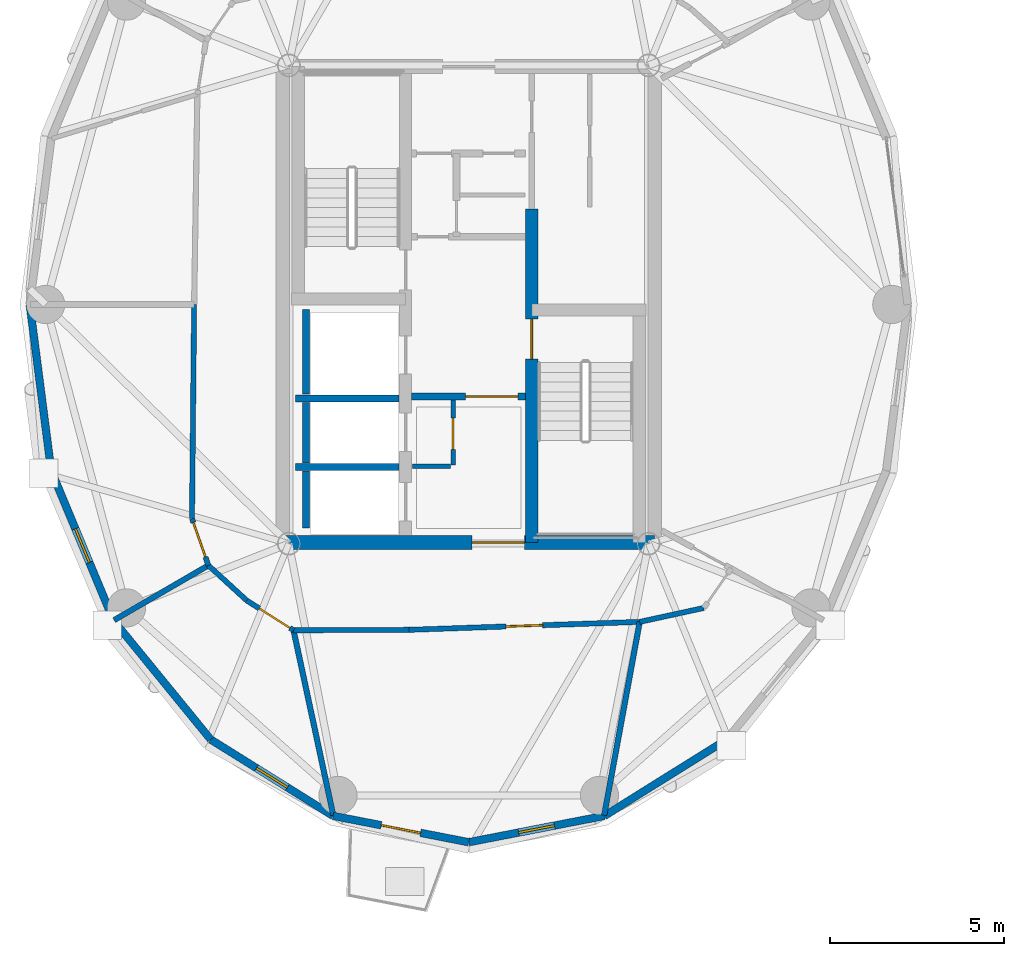
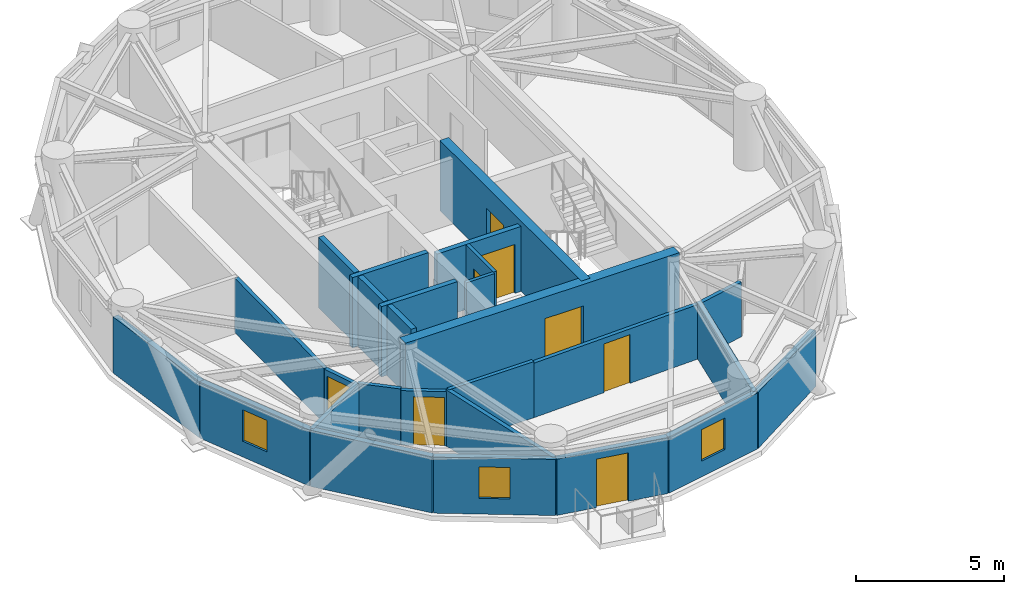
# One storey, part 7 of 16: 27 walls, 8 doors, 3 windows, 11 openings.
"""IFC4 building model written with IfcOpenShell, lengths in metres."""

import ifcopenshell
import ifcopenshell.guid

model = None  # the IFC model being written
_history = None  # IfcOwnerHistory: only IFC2X3 demands one
_inside = {}  # id of a spatial element -> (the spatial element, [elements in it])
_under = {}  # id of a project, library or spatial element -> (it, [spatial elements below it])
_declared = {}  # id of a project -> (the project, [libraries it declares])
_typed = {}  # id of a type object -> (the type object, [elements of that type])
_made_of = {}  # id of a material, layer set ... -> (it, [elements and type objects made of it])


def new_model(schema):
    """Start an empty IFC model of exactly this schema.

    Asked for "IFC4X3", IfcOpenShell would pick the latest addendum, in which some entities
    have other attributes; the version numbers below select the first issue.
    IFC2X3 requires an IfcOwnerHistory on every rooted entity: one is made here for all.
    """
    global model, _history
    if schema == "IFC4X3":
        model = ifcopenshell.file(schema_version=(4, 3, 0, 0))
    else:
        model = ifcopenshell.file(schema=schema)
    _inside.clear()
    _under.clear()
    _declared.clear()
    _typed.clear()
    _made_of.clear()
    _history = None
    if model.schema == "IFC2X3":
        org = make("IfcOrganization", Name="unknown")
        user = make(
            "IfcPersonAndOrganization",
            ThePerson=make("IfcPerson", FamilyName="unknown"),
            TheOrganization=org,
        )
        app = make(
            "IfcApplication",
            ApplicationDeveloper=org,
            Version="unknown",
            ApplicationFullName="unknown",
            ApplicationIdentifier="unknown",
        )
        _history = make(
            "IfcOwnerHistory",
            OwningUser=user,
            OwningApplication=app,
            ChangeAction="ADDED",
            CreationDate=0,
        )
    return model


def make(cls, **values):
    """One entity of the class cls with the attributes given. An attribute that is None is left unset."""
    return model.create_entity(
        cls, **{name: value for name, value in values.items() if value is not None}
    )


def rooted(cls, **values):
    """An entity with a GlobalId (a new one), such as an element, a storey or a relation."""
    return make(cls, GlobalId=ifcopenshell.guid.new(), OwnerHistory=_history, **values)


def si_unit(unit_type, name, prefix=None):
    """IfcSIUnit, for example si_unit("LENGTHUNIT", "METRE", prefix="MILLI")."""
    return make("IfcSIUnit", UnitType=unit_type, Prefix=prefix, Name=name)


def assignment(units):
    """IfcUnitAssignment: the units of a project."""
    return None if units is None else make("IfcUnitAssignment", Units=units)


def point(xyz):
    """IfcCartesianPoint."""
    return None if xyz is None else make("IfcCartesianPoint", Coordinates=xyz)


def direction(xyz):
    """IfcDirection."""
    return None if xyz is None else make("IfcDirection", DirectionRatios=xyz)


def frame(location, z_axis=None, x_axis=None):
    """IfcAxis2Placement3D, a coordinate frame: its origin and axes. An axis left out is left unset."""
    return make(
        "IfcAxis2Placement3D",
        Location=point(location),
        Axis=direction(z_axis),
        RefDirection=direction(x_axis),
    )


def frame_2d(location, x_axis=None):
    """IfcAxis2Placement2D, a coordinate frame in the plane: its origin and x axis."""
    return make(
        "IfcAxis2Placement2D", Location=point(location), RefDirection=direction(x_axis)
    )


def origin():
    """The frame at (0, 0, 0) with its axes left unset."""
    return frame((0.0, 0.0, 0.0))


def place(relative_to, where):
    """IfcLocalPlacement: puts the frame where relative to a parent placement (None: the world)."""
    return make(
        "IfcLocalPlacement", PlacementRelTo=relative_to, RelativePlacement=where
    )


def context(
    kind, dimensions, precision=None, world=None, true_north=None, identifier=None
):
    """IfcGeometricRepresentationContext, for example the 3D "Model" context."""
    return make(
        "IfcGeometricRepresentationContext",
        ContextIdentifier=identifier,
        ContextType=kind,
        CoordinateSpaceDimension=dimensions,
        Precision=precision,
        WorldCoordinateSystem=world,
        TrueNorth=true_north,
    )


def subcontext(parent, identifier, kind, view, scale=None):
    """IfcGeometricRepresentationSubContext, for example "Body" below "Model"."""
    return make(
        "IfcGeometricRepresentationSubContext",
        ContextIdentifier=identifier,
        ContextType=kind,
        ParentContext=parent,
        TargetScale=scale,
        TargetView=view,
    )


def project(units=None, contexts=None):
    """IfcProject with its units and contexts."""
    return rooted(
        "IfcProject",
        Name="project",
        RepresentationContexts=contexts,
        UnitsInContext=assignment(units),
    )


def spatial(cls, under=None, at=None, **own):
    """A site, building, storey or space (cls), placed at a placement, below another one or the project."""
    s = rooted(cls, ObjectPlacement=at, **own)
    if under is not None:
        _under.setdefault(under.id(), (under, []))[1].append(s)
    return s


def profile(cls, at=None, kind="AREA", **sizes):
    """A parametric profile (cls). Its sizes go by their IFC names, for example OverallWidth=200.0."""
    return make(cls, ProfileType=kind, Position=at, **sizes)


def rectangle(**sizes):
    """IfcRectangleProfileDef."""
    return profile("IfcRectangleProfileDef", **sizes)


def extrude(swept, where, along, depth):
    """IfcExtrudedAreaSolid: the profile swept, set in the frame where, extruded along a direction by depth."""
    return make(
        "IfcExtrudedAreaSolid",
        SweptArea=swept,
        Position=where,
        ExtrudedDirection=direction(along),
        Depth=depth,
    )


def shape(context_of_items, identifier, shape_type, items):
    """IfcShapeRepresentation: the items that make up one representation, for example the "Body"."""
    return make(
        "IfcShapeRepresentation",
        ContextOfItems=context_of_items,
        RepresentationIdentifier=identifier,
        RepresentationType=shape_type,
        Items=items,
    )


def source(mapping_origin, context_of_items, identifier, shape_type, items):
    """IfcRepresentationMap: a shape defined once, which mapped items show again and again."""
    return make(
        "IfcRepresentationMap",
        MappingOrigin=mapping_origin,
        MappedRepresentation=shape(context_of_items, identifier, shape_type, items),
    )


def transform(
    local_origin,
    x_axis=None,
    y_axis=None,
    z_axis=None,
    scale=None,
    scale2=None,
    scale3=None,
    uniform=True,
):
    """IfcCartesianTransformationOperator3D, or its non-uniform kind. x_axis, y_axis, z_axis: its Axis1, 2, 3."""
    if uniform:
        return make(
            "IfcCartesianTransformationOperator3D",
            Axis1=direction(x_axis),
            Axis2=direction(y_axis),
            LocalOrigin=point(local_origin),
            Scale=scale,
            Axis3=direction(z_axis),
        )
    return make(
        "IfcCartesianTransformationOperator3DnonUniform",
        Axis1=direction(x_axis),
        Axis2=direction(y_axis),
        LocalOrigin=point(local_origin),
        Scale=scale,
        Axis3=direction(z_axis),
        Scale2=scale2,
        Scale3=scale3,
    )


def mapped(mapping_source, mapping_target):
    """IfcMappedItem: shows the shape of a source again, moved by a transform."""
    return make(
        "IfcMappedItem", MappingSource=mapping_source, MappingTarget=mapping_target
    )


def material(Name=None, Category=None):
    """IfcMaterial."""
    return make("IfcMaterial", Name=Name, Category=Category)


def layer(
    of_material, thickness, ventilated=None, Name=None, Category=None, Priority=None
):
    """IfcMaterialLayer: one layer of a wall or slab, of a material (None: an air gap)."""
    return make(
        "IfcMaterialLayer",
        Material=of_material,
        LayerThickness=thickness,
        IsVentilated=ventilated,
        Name=Name,
        Category=Category,
        Priority=Priority,
    )


def layer_set(layers, Name=None):
    """IfcMaterialLayerSet."""
    return make("IfcMaterialLayerSet", MaterialLayers=layers, LayerSetName=Name)


def made_of(thing, what):
    """Note that an element or type object is made of a material, layer set ...; save() writes the relation."""
    if what is not None:
        _made_of.setdefault(what.id(), (what, []))[1].append(thing)
    return thing


def type_object(cls, material=None, **own):
    """A type object (cls), such as IfcWallType, which elements share."""
    return made_of(rooted(cls, **own), material)


def element(
    cls,
    number,
    at=None,
    inside=None,
    cuts=None,
    type_object=None,
    material=None,
    context=None,
    identifier="Body",
    shape_type=None,
    held_by="IfcProductDefinitionShape",
    body=None,
    shapes=None,
    **own,
):
    """One element of the class cls, such as IfcWall. Its Tag is "e" and its number.

    at: its placement. inside: the storey or other place that contains it. cuts: it is an
    opening in that element (IfcRelVoidsElement). A single representation is given by context,
    identifier, shape_type and body (its items); several are given by shapes. held_by: the class
    of the entity that holds the representations. save() writes the other relations.
    """
    e = rooted(cls, Tag="e%d" % number, ObjectPlacement=at, **own)
    if body is not None:
        shapes = [shape(context, identifier, shape_type, body)]
    if shapes is not None:
        e.Representation = make(held_by, Representations=shapes)
    if inside is not None:
        _inside.setdefault(inside.id(), (inside, []))[1].append(e)
    if cuts is not None:
        rooted(
            "IfcRelVoidsElement", RelatingBuildingElement=cuts, RelatedOpeningElement=e
        )
    if type_object is not None:
        _typed.setdefault(type_object.id(), (type_object, []))[1].append(e)
    return made_of(e, material)


def fill(opening, filler):
    """IfcRelFillsElement: the door or window that sits in an opening."""
    return rooted(
        "IfcRelFillsElement",
        RelatingOpeningElement=opening,
        RelatedBuildingElement=filler,
    )


def aggregate(whole, parts):
    """IfcRelAggregates: a whole, such as a stair, and the parts it consists of."""
    return rooted("IfcRelAggregates", RelatingObject=whole, RelatedObjects=parts)


def save(model, path):
    """Write the relations noted so far, then the file.

    IfcRelAggregates (storeys below a building ...), IfcRelContainedInSpatialStructure (elements
    in a storey), IfcRelDefinesByType, IfcRelAssociatesMaterial and IfcRelDeclares: one each for
    every whole, place, type object, material and project.
    """
    for whole, parts in _under.values():
        aggregate(whole, parts)
    for where, things in _inside.values():
        rooted(
            "IfcRelContainedInSpatialStructure",
            RelatedElements=things,
            RelatingStructure=where,
        )
    for kind, things in _typed.values():
        rooted("IfcRelDefinesByType", RelatedObjects=things, RelatingType=kind)
    for what, things in _made_of.values():
        rooted("IfcRelAssociatesMaterial", RelatedObjects=things, RelatingMaterial=what)
    for by, libraries in _declared.values():
        rooted("IfcRelDeclares", RelatingContext=by, RelatedDefinitions=libraries)
    model.write(path)


model = new_model("IFC4")

# Units and contexts
model_context = context("Model", 3, precision=1e-05, world=origin(), true_north=direction((0.0, 1.0)))
body_context = subcontext(model_context, "Body", "Model", "MODEL_VIEW")
ifc_project = project(units=[si_unit("LENGTHUNIT", "METRE"), si_unit("AREAUNIT", "SQUARE_METRE"), si_unit("VOLUMEUNIT", "CUBIC_METRE"), si_unit("PLANEANGLEUNIT", "RADIAN"), si_unit("MASSUNIT", "GRAM", prefix="KILO")], contexts=[model_context])

# Site, building, storey
site_placement = place(None, origin())
site = spatial("IfcSite", under=ifc_project, at=site_placement, CompositionType="ELEMENT")
building_placement = place(site_placement, origin())
building = spatial("IfcBuilding", under=site, at=building_placement, Name="Cununo Teusaquillo Station Towers", CompositionType="ELEMENT")
storey_placement = place(building_placement, frame((0.0, 0.0, 208.300048828125)))
storey = spatial("IfcBuildingStorey", under=building, at=storey_placement, Name="L66", CompositionType="ELEMENT", Elevation=208.300048828125)

# Walls
ifc_material_1 = material(Name="Concrete C50/60", Category="concrete")
ifc_layer_1 = layer(ifc_material_1, 0.199951171875)
ifc_layer_set_1 = layer_set([ifc_layer_1], Name="Concrete C50/60")
wall_type_1 = type_object("IfcWallType", Name="WL-CORE-200", PredefinedType="SHEAR", material=ifc_layer_set_1)
wall_1_placement = place(storey_placement, frame((11.52001953125, 21.800048828125, 0.0), z_axis=(0.0, 0.0, 1.0), x_axis=(1.0, 0.0, 0.0)))
element("IfcWall", 1, at=wall_1_placement, inside=storey, type_object=wall_type_1, Name="L66 Tower A Firefighting Lift Shaft South Shear Wall", PredefinedType="SHEAR", context=body_context, shape_type="SweptSolid", body=[
    extrude(rectangle(XDim=2.969970703125, YDim=0.199951171875, at=frame_2d((1.48486328125, 0.0))), origin(), (0.0, 0.0, 1.0), 2.909912109375),
])
wall_2_placement = place(storey_placement, frame((11.820068359375, 21.919921875, 0.0), z_axis=(0.0, 0.0, 1.0), x_axis=(0.0, 1.0, 0.0)))
element("IfcWall", 2, at=wall_2_placement, inside=storey, type_object=wall_type_1, Name="L66 Tower A Firefighting Lift Shaft Rear Shear Wall", PredefinedType="SHEAR", context=body_context, shape_type="SweptSolid", body=[
    extrude(rectangle(XDim=2.440185546875, YDim=0.199951171875, at=frame_2d((1.22021484375, 0.0))), origin(), (0.0, 0.0, 1.0), 2.909912109375),
])
wall_3_placement = place(storey_placement, frame((11.52001953125, 19.824951171875, 0.0), z_axis=(0.0, 0.0, 1.0), x_axis=(1.0, 0.0, 0.0)))
element("IfcWall", 3, at=wall_3_placement, inside=storey, type_object=wall_type_1, Name="L66 Tower A High-Rise Lift Hoistway Divider Shear Wall", PredefinedType="SHEAR", context=body_context, shape_type="SweptSolid", body=[
    extrude(rectangle(XDim=2.969970703125, YDim=0.199951171875, at=frame_2d((1.48486328125, 0.0))), origin(), (0.0, 0.0, 1.0), 2.909912109375),
])
wall_4_placement = place(storey_placement, frame((11.820068359375, 19.945068359375, 0.0), z_axis=(0.0, 0.0, 1.0), x_axis=(0.0, 1.0, 0.0)))
element("IfcWall", 4, at=wall_4_placement, inside=storey, type_object=wall_type_1, Name="L66 Tower A High-Rise Lift 2 Shaft Rear Shear Wall", PredefinedType="SHEAR", context=body_context, shape_type="SweptSolid", body=[
    extrude(rectangle(XDim=1.73486328125, YDim=0.199951171875, at=frame_2d((0.867431640625, 0.0))), origin(), (0.0, 0.0, 1.0), 2.909912109375),
])
wall_5_placement = place(storey_placement, frame((11.820068359375, 18.070068359375, 0.0), z_axis=(0.0, 0.0, 1.0), x_axis=(0.0, 1.0, 0.0)))
element("IfcWall", 5, at=wall_5_placement, inside=storey, type_object=wall_type_1, Name="L66 Tower A High-Rise Lift 1 Shaft Rear Shear Wall", PredefinedType="SHEAR", context=body_context, shape_type="SweptSolid", body=[
    extrude(rectangle(XDim=1.635009765625, YDim=0.199951171875, at=frame_2d((0.8173828125, 0.0))), origin(), (0.0, 0.0, 1.0), 2.909912109375),
])

# Wall, opening, door
ifc_material_2 = material(Name="Concrete C50/60", Category="concrete")
ifc_layer_2 = layer(ifc_material_2, 0.35009765625)
ifc_layer_set_2 = layer_set([ifc_layer_2], Name="Concrete C50/60")
wall_type_2 = type_object("IfcWallType", Name="WL-CORE-350", PredefinedType="SHEAR", material=ifc_layer_set_2)
wall_6_placement = place(storey_placement, frame((18.31494140625, 17.64990234375, 0.0), z_axis=(0.0, 0.0, 1.0), x_axis=(0.0, 1.0, 0.0)))
wall_6 = element("IfcWall", 6, at=wall_6_placement, inside=storey, type_object=wall_type_2, Name="L66 Tower A Core Shear Wall IE", PredefinedType="SHEAR", context=body_context, shape_type="SweptSolid", body=[
    extrude(rectangle(XDim=9.60009765625, YDim=0.35009765625, at=frame_2d((4.800048828125, 0.0))), origin(), (0.0, 0.0, 1.0), 2.909912109375),
])
shared_shape_1 = source(origin(), body_context, "Body", "SweptSolid", [
    extrude(rectangle(XDim=1.14990234375, YDim=2.02001953125, at=frame_2d((0.574951171875, 1.010009765625))), frame((0.0, 0.18505859375, 0.0), z_axis=(0.0, -1.0, 0.0), x_axis=(1.0, 0.0, 0.0)), (0.0, 0.0, 1.0), 0.3701171875),
])
opening_1_placement = place(wall_6_placement, frame((5.280029296875, 0.0, 0.0)))
opening_1 = element("IfcOpeningElement", 7, at=opening_1_placement, cuts=wall_6, Name="Opening D-ST1", PredefinedType="OPENING", context=body_context, shape_type="MappedRepresentation", body=[
    mapped(shared_shape_1, transform((0.0, 0.0, 0.0), x_axis=(1.0, 0.0, 0.0), y_axis=(0.0, 1.0, 0.0), z_axis=(0.0, 0.0, 1.0), scale=1.0)),
])
ifc_material_3 = material(Name="Galvanised fire-rated hollow steel door assembly", Category="steel")
door_type_1 = type_object("IfcDoorType", Name="DR-STAIR-1150", OperationType="NOTDEFINED", PredefinedType="DOOR", material=ifc_material_3)
shared_shape_2 = source(origin(), body_context, "Body", "SweptSolid", [
    extrude(rectangle(XDim=1.14990234375, YDim=2.02001953125, at=frame_2d((0.574951171875, 1.010009765625))), frame((0.0, 0.02490234375, 0.0), z_axis=(0.0, -1.0, 0.0), x_axis=(1.0, 0.0, 0.0)), (0.0, 0.0, 1.0), 0.050048828125),
])
door_1_placement = place(opening_1_placement, origin())
door_1 = element("IfcDoor", 8, at=door_1_placement, inside=storey, type_object=door_type_1, Name="L66 Tower A Exit Stair 2 Fire Door", OperationType="SINGLE_SWING_LEFT", OverallHeight=2.02001953125, OverallWidth=1.14990234375, PredefinedType="DOOR", context=body_context, shape_type="MappedRepresentation", body=[
    mapped(shared_shape_2, transform((0.0, 0.0, 0.0), x_axis=(1.0, 0.0, 0.0), y_axis=(0.0, 1.0, 0.0), z_axis=(0.0, 0.0, 1.0), scale=1.0)),
])
fill(opening_1, door_1)

ifc_material_4 = material(Name="Concrete C50/60", Category="concrete")
ifc_layer_3 = layer(ifc_material_4, 0.39990234375)
ifc_layer_set_3 = layer_set([ifc_layer_3], Name="Concrete C50/60")
wall_type_3 = type_object("IfcWallType", Name="WL-CORE-400", PredefinedType="SHEAR", material=ifc_layer_set_3)
wall_7_placement = place(storey_placement, frame((11.14990234375, 17.64990234375, 0.0), z_axis=(0.0, 0.0, 1.0), x_axis=(1.0, 0.0, 0.0)))
wall_7 = element("IfcWall", 9, at=wall_7_placement, inside=storey, type_object=wall_type_3, Name="L66 Tower A Core Shear Wall S", PredefinedType="SHEAR", context=body_context, shape_type="SweptSolid", body=[
    extrude(rectangle(XDim=10.7001953125, YDim=0.39990234375, at=frame_2d((5.35009765625, 0.0))), origin(), (0.0, 0.0, 1.0), 2.909912109375),
])
shared_shape_3 = source(origin(), body_context, "Body", "SweptSolid", [
    extrude(rectangle(XDim=1.5, YDim=2.02001953125, at=frame_2d((0.75, 1.010009765625))), frame((0.0, 0.2099609375, 0.0), z_axis=(0.0, -1.0, 0.0), x_axis=(1.0, 0.0, 0.0)), (0.0, 0.0, 1.0), 0.419921875),
])
opening_2_placement = place(wall_7_placement, frame((5.449951171875, 0.0, 0.0)))
opening_2 = element("IfcOpeningElement", 10, at=opening_2_placement, cuts=wall_7, Name="Opening D-LB1", PredefinedType="OPENING", context=body_context, shape_type="MappedRepresentation", body=[
    mapped(shared_shape_3, transform((0.0, 0.0, 0.0), x_axis=(1.0, 0.0, 0.0), y_axis=(0.0, 1.0, 0.0), z_axis=(0.0, 0.0, 1.0), scale=1.0)),
])
ifc_material_5 = material(Name="Galvanised fire-rated hollow steel door assembly", Category="steel")
door_type_2 = type_object("IfcDoorType", Name="DR-LOBBY-1500", OperationType="DOUBLE_DOOR_SINGLE_SWING", PredefinedType="DOOR", material=ifc_material_5)
shared_shape_4 = source(origin(), body_context, "Body", "SweptSolid", [
    extrude(rectangle(XDim=1.5, YDim=2.02001953125, at=frame_2d((0.75, 1.010009765625))), frame((0.0, 0.02490234375, 0.0), z_axis=(0.0, -1.0, 0.0), x_axis=(1.0, 0.0, 0.0)), (0.0, 0.0, 1.0), 0.050048828125),
])
door_2_placement = place(opening_2_placement, origin())
door_2 = element("IfcDoor", 11, at=door_2_placement, inside=storey, type_object=door_type_2, Name="L66 Tower A South Core Lift Lobby Door", OperationType="DOUBLE_DOOR_SINGLE_SWING", OverallHeight=2.02001953125, OverallWidth=1.5, PredefinedType="DOOR", context=body_context, shape_type="MappedRepresentation", body=[
    mapped(shared_shape_4, transform((0.0, 0.0, 0.0), x_axis=(1.0, 0.0, 0.0), y_axis=(0.0, 1.0, 0.0), z_axis=(0.0, 0.0, 1.0), scale=1.0)),
])
fill(opening_2, door_2)

# Wall
ifc_material_6 = material(Name="Precast concrete C40/50", Category="concrete")
ifc_layer_4 = layer(ifc_material_6, 0.219970703125)
ifc_layer_set_4 = layer_set([ifc_layer_4], Name="Precast concrete C40/50")
wall_type_4 = type_object("IfcWallType", Name="WL-EXT-220", PredefinedType="SOLIDWALL", material=ifc_layer_set_4)
wall_8_placement = place(storey_placement, frame((4.48828125, 19.719482421875, 0.0), z_axis=(0.0, 0.0, 1.0), x_axis=(-0.128241318541, 0.991742993027, 0.0)))
element("IfcWall", 12, at=wall_8_placement, inside=storey, type_object=wall_type_4, Name="L66 Tower A Exterior Facade Wall C10", PredefinedType="SOLIDWALL", context=body_context, shape_type="SweptSolid", body=[
    extrude(rectangle(XDim=4.8203125, YDim=0.219970703125, at=frame_2d((2.41015625, 0.0))), origin(), (0.0, 0.0, 1.0), 2.322021484375),
])

# Wall, opening, window
wall_9_placement = place(storey_placement, frame((6.281982421875, 15.406982421875, 0.0), z_axis=(0.0, 0.0, 1.0), x_axis=(-0.384036305194, 0.923317993052, 0.0)))
wall_9 = element("IfcWall", 13, at=wall_9_placement, inside=storey, type_object=wall_type_4, Name="L66 Tower A Exterior Facade Wall C11", PredefinedType="SOLIDWALL", context=body_context, shape_type="SweptSolid", body=[
    extrude(rectangle(XDim=4.670654296875, YDim=0.219970703125, at=frame_2d((2.33544921875, 0.0))), origin(), (0.0, 0.0, 1.0), 2.322021484375),
])
shared_shape_5 = source(origin(), body_context, "Body", "SweptSolid", [
    extrude(rectangle(XDim=1.050048828125, YDim=1.300048828125, at=frame_2d((0.52490234375, 0.64990234375))), frame((0.0, 0.119873046875, 0.0), z_axis=(0.0, -1.0, 0.0), x_axis=(1.0, 0.0, 0.0)), (0.0, 0.0, 1.0), 0.239990234375),
])
opening_3_placement = place(wall_9_placement, frame((1.81005859375, 0.0, 0.64990234375)))
opening_3 = element("IfcOpeningElement", 14, at=opening_3_placement, cuts=wall_9, Name="Opening WN-04", PredefinedType="OPENING", context=body_context, shape_type="MappedRepresentation", body=[
    mapped(shared_shape_5, transform((0.0, 0.0, 0.0), x_axis=(1.0, 0.0, 0.0), y_axis=(0.0, 1.0, 0.0), z_axis=(0.0, 0.0, 1.0), scale=1.0)),
])
ifc_material_7 = material(Name="Operable acoustic tinted low-E double glazing", Category="glass")
window_type = type_object("IfcWindowType", Name="WIN-BAL-1050", PartitioningType="SINGLE_PANEL", PredefinedType="WINDOW", material=ifc_material_7)
shared_shape_6 = source(origin(), body_context, "Body", "SweptSolid", [
    extrude(rectangle(XDim=1.050048828125, YDim=1.300048828125, at=frame_2d((0.52490234375, 0.64990234375))), frame((0.0, 0.030029296875, 0.0), z_axis=(0.0, -1.0, 0.0), x_axis=(1.0, 0.0, 0.0)), (0.0, 0.0, 1.0), 0.06005859375),
])
window_1_placement = place(opening_3_placement, origin())
window_1 = element("IfcWindow", 15, at=window_1_placement, inside=storey, type_object=window_type, Name="L66 Tower A Facade Window C11", OverallHeight=1.300048828125, OverallWidth=1.050048828125, PartitioningType="SINGLE_PANEL", PredefinedType="WINDOW", context=body_context, shape_type="MappedRepresentation", body=[
    mapped(shared_shape_6, transform((0.0, 0.0, 0.0), x_axis=(1.0, 0.0, 0.0), y_axis=(0.0, 1.0, 0.0), z_axis=(0.0, 0.0, 1.0), scale=1.0)),
])
fill(opening_3, window_1)

# Wall
wall_10_placement = place(storey_placement, frame((9.076416015625, 11.984619140625, 0.0), z_axis=(0.0, 0.0, 1.0), x_axis=(-0.632467166636, 0.774587169483, 0.0)))
element("IfcWall", 16, at=wall_10_placement, inside=storey, type_object=wall_type_4, Name="L66 Tower A Exterior Facade Wall C12", PredefinedType="SOLIDWALL", context=body_context, shape_type="SweptSolid", body=[
    extrude(rectangle(XDim=4.418212890625, YDim=0.219970703125, at=frame_2d((2.208984375, 0.0))), origin(), (0.0, 0.0, 1.0), 2.322021484375),
])

# Wall, opening, window
wall_11_placement = place(storey_placement, frame((12.59716796875, 9.787109375, 0.0), z_axis=(0.0, 0.0, 1.0), x_axis=(-0.848318713376, 0.529485939886, 0.0)))
wall_11 = element("IfcWall", 17, at=wall_11_placement, inside=storey, type_object=wall_type_4, Name="L66 Tower A Exterior Facade Wall C13", PredefinedType="SOLIDWALL", context=body_context, shape_type="SweptSolid", body=[
    extrude(rectangle(XDim=4.150390625, YDim=0.219970703125, at=frame_2d((2.0751953125, 0.0))), origin(), (0.0, 0.0, 1.0), 2.322021484375),
])
opening_4_placement = place(wall_11_placement, frame((1.550048828125, 0.0, 0.64990234375)))
opening_4 = element("IfcOpeningElement", 18, at=opening_4_placement, cuts=wall_11, Name="Opening WN-04", PredefinedType="OPENING", context=body_context, shape_type="MappedRepresentation", body=[
    mapped(shared_shape_5, transform((0.0, 0.0, 0.0), x_axis=(1.0, 0.0, 0.0), y_axis=(0.0, 1.0, 0.0), z_axis=(0.0, 0.0, 1.0), scale=1.0)),
])
window_2_placement = place(opening_4_placement, origin())
window_2 = element("IfcWindow", 19, at=window_2_placement, inside=storey, type_object=window_type, Name="L66 Tower A Facade Window C13", OverallHeight=1.300048828125, OverallWidth=1.050048828125, PartitioningType="SINGLE_PANEL", PredefinedType="WINDOW", context=body_context, shape_type="MappedRepresentation", body=[
    mapped(shared_shape_6, transform((0.0, 0.0, 0.0), x_axis=(1.0, 0.0, 0.0), y_axis=(0.0, 1.0, 0.0), z_axis=(0.0, 0.0, 1.0), scale=1.0)),
])
fill(opening_4, window_2)

# Wall, opening, door
wall_12_placement = place(storey_placement, frame((16.5, 9.030029296875, 0.0), z_axis=(0.0, 0.0, 1.0), x_axis=(-0.981700307484, 0.190432419211, 0.0)))
wall_12 = element("IfcWall", 20, at=wall_12_placement, inside=storey, type_object=wall_type_4, Name="L66 Tower A Exterior Facade Wall C14", PredefinedType="SOLIDWALL", context=body_context, shape_type="SweptSolid", body=[
    extrude(rectangle(XDim=3.9755859375, YDim=0.219970703125, at=frame_2d((1.98779296875, 0.0))), origin(), (0.0, 0.0, 1.0), 2.322021484375),
])
shared_shape_7 = source(origin(), body_context, "Body", "SweptSolid", [
    extrude(rectangle(XDim=1.14990234375, YDim=2.0048828125, at=frame_2d((0.574951171875, 1.00244140625))), frame((0.0, 0.119873046875, 0.0), z_axis=(0.0, -1.0, 0.0), x_axis=(1.0, 0.0, 0.0)), (0.0, 0.0, 1.0), 0.239990234375),
])
opening_5_placement = place(wall_12_placement, frame((1.4130859375, 0.0, 0.0)))
opening_5 = element("IfcOpeningElement", 21, at=opening_5_placement, cuts=wall_12, Name="Opening ED-03", PredefinedType="OPENING", context=body_context, shape_type="MappedRepresentation", body=[
    mapped(shared_shape_7, transform((0.0, 0.0, 0.0), x_axis=(1.0, 0.0, 0.0), y_axis=(0.0, 1.0, 0.0), z_axis=(0.0, 0.0, 1.0), scale=1.0)),
])
ifc_material_8 = material(Name="Anodised dark bronze aluminium EN AW-6063-T6", Category="aluminium")
door_type_3 = type_object("IfcDoorType", Name="DR-EXT-BAL", OperationType="NOTDEFINED", PredefinedType="DOOR", material=ifc_material_8)
shared_shape_8 = source(origin(), body_context, "Body", "SweptSolid", [
    extrude(rectangle(XDim=1.14990234375, YDim=2.0048828125, at=frame_2d((0.574951171875, 1.00244140625))), frame((0.0, 0.02490234375, 0.0), z_axis=(0.0, -1.0, 0.0), x_axis=(1.0, 0.0, 0.0)), (0.0, 0.0, 1.0), 0.050048828125),
])
door_3_placement = place(opening_5_placement, origin())
door_3 = element("IfcDoor", 22, at=door_3_placement, inside=storey, type_object=door_type_3, Name="L66 Tower A Tree Balcony Door C14", OperationType="SINGLE_SWING_LEFT", OverallHeight=2.0048828125, OverallWidth=1.14990234375, PredefinedType="DOOR", context=body_context, shape_type="MappedRepresentation", body=[
    mapped(shared_shape_8, transform((0.0, 0.0, 0.0), x_axis=(1.0, 0.0, 0.0), y_axis=(0.0, 1.0, 0.0), z_axis=(0.0, 0.0, 1.0), scale=1.0)),
])
fill(opening_5, door_3)

# Wall, opening, window
wall_13_placement = place(storey_placement, frame((20.40283203125, 9.787109375, 0.0), z_axis=(0.0, 0.0, 1.0), x_axis=(-0.981700307484, -0.190432419211, 0.0)))
wall_13 = element("IfcWall", 23, at=wall_13_placement, inside=storey, type_object=wall_type_4, Name="L66 Tower A Exterior Facade Wall C15", PredefinedType="SOLIDWALL", context=body_context, shape_type="SweptSolid", body=[
    extrude(rectangle(XDim=3.9755859375, YDim=0.219970703125, at=frame_2d((1.98779296875, 0.0))), origin(), (0.0, 0.0, 1.0), 2.322021484375),
])
opening_6_placement = place(wall_13_placement, frame((1.462890625, 0.0, 0.64990234375)))
opening_6 = element("IfcOpeningElement", 24, at=opening_6_placement, cuts=wall_13, Name="Opening WN-04", PredefinedType="OPENING", context=body_context, shape_type="MappedRepresentation", body=[
    mapped(shared_shape_5, transform((0.0, 0.0, 0.0), x_axis=(1.0, 0.0, 0.0), y_axis=(0.0, 1.0, 0.0), z_axis=(0.0, 0.0, 1.0), scale=1.0)),
])
window_3_placement = place(opening_6_placement, origin())
window_3 = element("IfcWindow", 25, at=window_3_placement, inside=storey, type_object=window_type, Name="L66 Tower A Facade Window C15", OverallHeight=1.300048828125, OverallWidth=1.050048828125, PartitioningType="SINGLE_PANEL", PredefinedType="WINDOW", context=body_context, shape_type="MappedRepresentation", body=[
    mapped(shared_shape_6, transform((0.0, 0.0, 0.0), x_axis=(1.0, 0.0, 0.0), y_axis=(0.0, 1.0, 0.0), z_axis=(0.0, 0.0, 1.0), scale=1.0)),
])
fill(opening_6, window_3)

# Wall
wall_14_placement = place(storey_placement, frame((23.923583984375, 11.984619140625, 0.0), z_axis=(0.0, 0.0, 1.0), x_axis=(-0.848318713376, -0.529485939886, 0.0)))
element("IfcWall", 26, at=wall_14_placement, inside=storey, type_object=wall_type_4, Name="L66 Tower A Exterior Facade Wall C16", PredefinedType="SOLIDWALL", context=body_context, shape_type="SweptSolid", body=[
    extrude(rectangle(XDim=4.150390625, YDim=0.219970703125, at=frame_2d((2.0751953125, 0.0))), origin(), (0.0, 0.0, 1.0), 2.322021484375),
])

# Wall, opening, door
ifc_material_9 = material(Name="Fire-rated gypsum plasterboard partition assembly", Category="gypsum")
ifc_layer_5 = layer(ifc_material_9, 0.125)
ifc_layer_set_5 = layer_set([ifc_layer_5], Name="Fire-rated gypsum plasterboard partition assembly")
wall_type_5 = type_object("IfcWallType", Name="WL-PART-125", PredefinedType="PARTITIONING", material=ifc_layer_set_5)
wall_15_placement = place(storey_placement, frame((16.050048828125, 19.8798828125, 0.0), z_axis=(0.0, 0.0, 1.0), x_axis=(0.0, 1.0, 0.0)))
wall_15 = element("IfcWall", 27, at=wall_15_placement, inside=storey, type_object=wall_type_5, Name="L66 Tower A North-West Lobby Store East Wall", PredefinedType="PARTITIONING", context=body_context, shape_type="SweptSolid", body=[
    extrude(rectangle(XDim=1.8701171875, YDim=0.125, at=frame_2d((0.93505859375, 0.0))), origin(), (0.0, 0.0, 1.0), 2.68505859375),
])
shared_shape_9 = source(origin(), body_context, "Body", "SweptSolid", [
    extrude(rectangle(XDim=0.89990234375, YDim=2.0048828125, at=frame_2d((0.449951171875, 1.00244140625))), frame((0.0, 0.072509765625, 0.0), z_axis=(0.0, -1.0, 0.0), x_axis=(1.0, 0.0, 0.0)), (0.0, 0.0, 1.0), 0.14501953125),
])
opening_7_placement = place(wall_15_placement, frame((0.449951171875, 0.0, 0.0)))
opening_7 = element("IfcOpeningElement", 28, at=opening_7_placement, cuts=wall_15, Name="Opening D-SR1", PredefinedType="OPENING", context=body_context, shape_type="MappedRepresentation", body=[
    mapped(shared_shape_9, transform((0.0, 0.0, 0.0), x_axis=(1.0, 0.0, 0.0), y_axis=(0.0, 1.0, 0.0), z_axis=(0.0, 0.0, 1.0), scale=1.0)),
])
ifc_material_10 = material(Name="Galvanised fire-rated hollow steel door assembly", Category="steel")
door_type_4 = type_object("IfcDoorType", Name="DR-STORE-900", OperationType="NOTDEFINED", PredefinedType="DOOR", material=ifc_material_10)
shared_shape_10 = source(origin(), body_context, "Body", "SweptSolid", [
    extrude(rectangle(XDim=0.89990234375, YDim=2.0048828125, at=frame_2d((0.449951171875, 1.00244140625))), frame((0.0, 0.02490234375, 0.0), z_axis=(0.0, -1.0, 0.0), x_axis=(1.0, 0.0, 0.0)), (0.0, 0.0, 1.0), 0.050048828125),
])
door_4_placement = place(opening_7_placement, origin())
door_4 = element("IfcDoor", 29, at=door_4_placement, inside=storey, type_object=door_type_4, Name="L66 Tower A South Lobby Data Store Door", OperationType="SINGLE_SWING_RIGHT", OverallHeight=2.0048828125, OverallWidth=0.89990234375, PredefinedType="DOOR", context=body_context, shape_type="MappedRepresentation", body=[
    mapped(shared_shape_10, transform((0.0, 0.0, 0.0), x_axis=(1.0, 0.0, 0.0), y_axis=(0.0, 1.0, 0.0), z_axis=(0.0, 0.0, 1.0), scale=1.0)),
])
fill(opening_7, door_4)

# Walls
wall_16_placement = place(storey_placement, frame((14.8798828125, 19.85009765625, 0.0), z_axis=(0.0, 0.0, 1.0), x_axis=(1.0, 0.0, 0.0)))
element("IfcWall", 30, at=wall_16_placement, inside=storey, type_object=wall_type_5, Name="L66 Tower A North-West Lobby Store South Wall", PredefinedType="PARTITIONING", context=body_context, shape_type="SweptSolid", body=[
    extrude(rectangle(XDim=1.10009765625, YDim=0.125, at=frame_2d((0.550048828125, 0.0))), origin(), (0.0, 0.0, 1.0), 2.68505859375),
])
ifc_material_11 = material(Name="Fire-rated gypsum plasterboard partition assembly", Category="gypsum")
ifc_layer_6 = layer(ifc_material_11, 0.14990234375)
ifc_layer_set_6 = layer_set([ifc_layer_6], Name="Fire-rated gypsum plasterboard partition assembly")
wall_type_6 = type_object("IfcWallType", Name="WL-PART-150", PredefinedType="PARTITIONING", material=ifc_layer_set_6)
wall_17_placement = place(storey_placement, frame((8.60009765625, 24.5, 0.0), z_axis=(0.0, 0.0, 1.0), x_axis=(-0.010023665349, -0.999949761805, 0.0)))
element("IfcWall", 31, at=wall_17_placement, inside=storey, type_object=wall_type_6, Name="L66 Tower A Corridor Ring Wall C10", PredefinedType="PARTITIONING", context=body_context, shape_type="SweptSolid", body=[
    extrude(rectangle(XDim=6.162109375, YDim=0.14990234375, at=frame_2d((3.0810546875, 0.0))), origin(), (0.0, 0.0, 1.0), 2.2548828125),
])

# Wall, opening, door
wall_18_placement = place(storey_placement, frame((8.538330078125, 18.338134765625, 0.0), z_axis=(0.0, 0.0, 1.0), x_axis=(0.331358150167, -0.94350504838, 0.0)))
wall_18 = element("IfcWall", 32, at=wall_18_placement, inside=storey, type_object=wall_type_6, Name="L66 Tower A Corridor Ring Wall C11", PredefinedType="PARTITIONING", context=body_context, shape_type="SweptSolid", body=[
    extrude(rectangle(XDim=1.42431640625, YDim=0.14990234375, at=frame_2d((0.712158203125, 0.0))), origin(), (0.0, 0.0, 1.0), 2.2548828125),
])
shared_shape_11 = source(origin(), body_context, "Body", "SweptSolid", [
    extrude(rectangle(XDim=1.050048828125, YDim=2.014892578125, at=frame_2d((0.52490234375, 1.00732421875))), frame((0.0, 0.0849609375, 0.0), z_axis=(0.0, -1.0, 0.0), x_axis=(1.0, 0.0, 0.0)), (0.0, 0.0, 1.0), 0.169921875),
])
opening_8_placement = place(wall_18_placement, frame((0.1201171875, 0.0, 0.0)))
opening_8 = element("IfcOpeningElement", 33, at=opening_8_placement, cuts=wall_18, Name="Opening D-SU1", PredefinedType="OPENING", context=body_context, shape_type="MappedRepresentation", body=[
    mapped(shared_shape_11, transform((0.0, 0.0, 0.0), x_axis=(1.0, 0.0, 0.0), y_axis=(0.0, 1.0, 0.0), z_axis=(0.0, 0.0, 1.0), scale=1.0)),
])
ifc_material_12 = material(Name="Acoustic solid-core hardwood leaf assembly", Category="wood")
door_type_5 = type_object("IfcDoorType", Name="DR-SUITE-1050", OperationType="NOTDEFINED", PredefinedType="DOOR", material=ifc_material_12)
shared_shape_12 = source(origin(), body_context, "Body", "SweptSolid", [
    extrude(rectangle(XDim=1.050048828125, YDim=2.014892578125, at=frame_2d((0.52490234375, 1.00732421875))), frame((0.0, 0.02490234375, 0.0), z_axis=(0.0, -1.0, 0.0), x_axis=(1.0, 0.0, 0.0)), (0.0, 0.0, 1.0), 0.050048828125),
])
door_5_placement = place(opening_8_placement, origin())
door_5 = element("IfcDoor", 34, at=door_5_placement, inside=storey, type_object=door_type_5, Name="L66 Tower A Fellows Research Library Entrance Door", OperationType="SINGLE_SWING_LEFT", OverallHeight=2.014892578125, OverallWidth=1.050048828125, PredefinedType="DOOR", context=body_context, shape_type="MappedRepresentation", body=[
    mapped(shared_shape_12, transform((0.0, 0.0, 0.0), x_axis=(1.0, 0.0, 0.0), y_axis=(0.0, 1.0, 0.0), z_axis=(0.0, 0.0, 1.0), scale=1.0)),
])
fill(opening_8, door_5)

# Wall
wall_19_placement = place(storey_placement, frame((9.01025390625, 16.994384765625, 0.0), z_axis=(0.0, 0.0, 1.0), x_axis=(0.737701798986, -0.67512669609, 0.0)))
element("IfcWall", 35, at=wall_19_placement, inside=storey, type_object=wall_type_6, Name="L66 Tower A Corridor Ring Wall C12", PredefinedType="PARTITIONING", context=body_context, shape_type="SweptSolid", body=[
    extrude(rectangle(XDim=1.498291015625, YDim=0.14990234375, at=frame_2d((0.7490234375, 0.0))), origin(), (0.0, 0.0, 1.0), 2.322021484375),
])

# Wall, opening, door
wall_20_placement = place(storey_placement, frame((10.115478515625, 15.98291015625, 0.0), z_axis=(0.0, 0.0, 1.0), x_axis=(0.843995849351, -0.536349705209, 0.0)))
wall_20 = element("IfcWall", 36, at=wall_20_placement, inside=storey, type_object=wall_type_6, Name="L66 Tower A Corridor Ring Wall C13", PredefinedType="PARTITIONING", context=body_context, shape_type="SweptSolid", body=[
    extrude(rectangle(XDim=1.5927734375, YDim=0.14990234375, at=frame_2d((0.79638671875, 0.0))), origin(), (0.0, 0.0, 1.0), 2.2548828125),
])
opening_9_placement = place(wall_20_placement, frame((0.422607421875, 0.0, 0.0)))
opening_9 = element("IfcOpeningElement", 37, at=opening_9_placement, cuts=wall_20, Name="Opening D-SU1", PredefinedType="OPENING", context=body_context, shape_type="MappedRepresentation", body=[
    mapped(shared_shape_11, transform((0.0, 0.0, 0.0), x_axis=(1.0, 0.0, 0.0), y_axis=(0.0, 1.0, 0.0), z_axis=(0.0, 0.0, 1.0), scale=1.0)),
])
door_6_placement = place(opening_9_placement, origin())
door_6 = element("IfcDoor", 38, at=door_6_placement, inside=storey, type_object=door_type_5, Name="L66 Tower A Summit Catering Pantry Entrance Door", OperationType="SINGLE_SWING_RIGHT", OverallHeight=2.014892578125, OverallWidth=1.050048828125, PredefinedType="DOOR", context=body_context, shape_type="MappedRepresentation", body=[
    mapped(shared_shape_12, transform((0.0, 0.0, 0.0), x_axis=(1.0, 0.0, 0.0), y_axis=(0.0, 1.0, 0.0), z_axis=(0.0, 0.0, 1.0), scale=1.0)),
])
fill(opening_9, door_6)

# Wall
wall_21_placement = place(storey_placement, frame((11.459716796875, 15.128662109375, 0.0), z_axis=(0.0, 0.0, 1.0), x_axis=(0.999993513287, 0.003601858435, 0.0)))
element("IfcWall", 39, at=wall_21_placement, inside=storey, type_object=wall_type_6, Name="L66 Tower A Corridor Ring Wall C14", PredefinedType="PARTITIONING", context=body_context, shape_type="SweptSolid", body=[
    extrude(rectangle(XDim=3.3212890625, YDim=0.14990234375, at=frame_2d((1.66064453125, 0.0))), origin(), (0.0, 0.0, 1.0), 2.322021484375),
])

# Wall, opening, door
wall_22_placement = place(storey_placement, frame((14.781005859375, 15.140625, 0.0), z_axis=(0.0, 0.0, 1.0), x_axis=(0.999407918707, 0.034406569513, 0.0)))
wall_22 = element("IfcWall", 40, at=wall_22_placement, inside=storey, type_object=wall_type_6, Name="L66 Tower A Corridor Ring Wall C15", PredefinedType="PARTITIONING", context=body_context, shape_type="SweptSolid", body=[
    extrude(rectangle(XDim=6.6416015625, YDim=0.14990234375, at=frame_2d((3.32080078125, 0.0))), origin(), (0.0, 0.0, 1.0), 2.2548828125),
])
opening_10_placement = place(wall_22_placement, frame((2.7958984375, 0.0, 0.0)))
opening_10 = element("IfcOpeningElement", 41, at=opening_10_placement, cuts=wall_22, Name="Opening D-SU1", PredefinedType="OPENING", context=body_context, shape_type="MappedRepresentation", body=[
    mapped(shared_shape_11, transform((0.0, 0.0, 0.0), x_axis=(1.0, 0.0, 0.0), y_axis=(0.0, 1.0, 0.0), z_axis=(0.0, 0.0, 1.0), scale=1.0)),
])
door_7_placement = place(opening_10_placement, origin())
door_7 = element("IfcDoor", 42, at=door_7_placement, inside=storey, type_object=door_type_5, Name="L66 Tower A Protocol Archive Room Entrance Door", OperationType="SINGLE_SWING_LEFT", OverallHeight=2.014892578125, OverallWidth=1.050048828125, PredefinedType="DOOR", context=body_context, shape_type="MappedRepresentation", body=[
    mapped(shared_shape_12, transform((0.0, 0.0, 0.0), x_axis=(1.0, 0.0, 0.0), y_axis=(0.0, 1.0, 0.0), z_axis=(0.0, 0.0, 1.0), scale=1.0)),
])
fill(opening_10, door_7)

# Walls
wall_23_placement = place(storey_placement, frame((21.418701171875, 15.369140625, 0.0), z_axis=(0.0, 0.0, 1.0), x_axis=(0.977192701953, 0.212354475464, 0.0)))
element("IfcWall", 43, at=wall_23_placement, inside=storey, type_object=wall_type_6, Name="L66 Tower A Corridor Ring Wall C16", PredefinedType="PARTITIONING", context=body_context, shape_type="SweptSolid", body=[
    extrude(rectangle(XDim=1.8876953125, YDim=0.14990234375, at=frame_2d((0.94384765625, 0.0))), origin(), (0.0, 0.0, 1.0), 2.2548828125),
])
ifc_material_13 = material(Name="Fire-rated gypsum plasterboard partition assembly", Category="gypsum")
ifc_layer_7 = layer(ifc_material_13, 0.159912109375)
ifc_layer_set_7 = layer_set([ifc_layer_7], Name="Fire-rated gypsum plasterboard partition assembly")
wall_type_7 = type_object("IfcWallType", Name="WL-PART-160", PredefinedType="PARTITIONING", material=ifc_layer_set_7)
wall_24_placement = place(storey_placement, frame((9.01025390625, 16.994384765625, 0.0), z_axis=(0.0, 0.0, 1.0), x_axis=(-0.864647164532, -0.502379618283, 0.0)))
element("IfcWall", 44, at=wall_24_placement, inside=storey, type_object=wall_type_7, Name="L66 Tower A Radial Suite Partition R06", PredefinedType="PARTITIONING", context=body_context, shape_type="SweptSolid", body=[
    extrude(rectangle(XDim=3.136474609375, YDim=0.159912109375, at=frame_2d((1.568359375, 0.0))), origin(), (0.0, 0.0, 1.0), 2.322021484375),
])
wall_25_placement = place(storey_placement, frame((11.459716796875, 15.128662109375, 0.0), z_axis=(0.0, 0.0, 1.0), x_axis=(0.210058897642, -0.977688733453, 0.0)))
element("IfcWall", 45, at=wall_25_placement, inside=storey, type_object=wall_type_7, Name="L66 Tower A Radial Suite Partition R07", PredefinedType="PARTITIONING", context=body_context, shape_type="SweptSolid", body=[
    extrude(rectangle(XDim=5.444091796875, YDim=0.159912109375, at=frame_2d((2.72216796875, 0.0))), origin(), (0.0, 0.0, 1.0), 2.322021484375),
])
wall_26_placement = place(storey_placement, frame((21.418701171875, 15.369140625, 0.0), z_axis=(0.0, 0.0, 1.0), x_axis=(-0.180685606423, -0.98354090491, 0.0)))
element("IfcWall", 46, at=wall_26_placement, inside=storey, type_object=wall_type_7, Name="L66 Tower A Radial Suite Partition R08", PredefinedType="PARTITIONING", context=body_context, shape_type="SweptSolid", body=[
    extrude(rectangle(XDim=5.656005859375, YDim=0.159912109375, at=frame_2d((2.828125, 0.0))), origin(), (0.0, 0.0, 1.0), 2.322021484375),
])

# Wall, opening, door
ifc_material_14 = material(Name="Fire-rated gypsum plasterboard partition assembly", Category="gypsum")
ifc_layer_8 = layer(ifc_material_14, 0.199951171875)
ifc_layer_set_8 = layer_set([ifc_layer_8], Name="Fire-rated gypsum plasterboard partition assembly")
wall_type_8 = type_object("IfcWallType", Name="WL-PART-200", PredefinedType="PARTITIONING", material=ifc_layer_set_8)
wall_27_placement = place(storey_placement, frame((14.860107421875, 21.85009765625, 0.0), z_axis=(0.0, 0.0, 1.0), x_axis=(1.0, 0.0, 0.0)))
wall_27 = element("IfcWall", 47, at=wall_27_placement, inside=storey, type_object=wall_type_8, Name="L66 Tower A Firefighting Lift Lobby South Fire Wall", PredefinedType="PARTITIONING", context=body_context, shape_type="SweptSolid", body=[
    extrude(rectangle(XDim=3.27978515625, YDim=0.199951171875, at=frame_2d((1.639892578125, 0.0))), origin(), (0.0, 0.0, 1.0), 2.68505859375),
])
shared_shape_13 = source(origin(), body_context, "Body", "SweptSolid", [
    extrude(rectangle(XDim=1.5, YDim=2.02001953125, at=frame_2d((0.75, 1.010009765625))), frame((0.0, 0.10986328125, 0.0), z_axis=(0.0, -1.0, 0.0), x_axis=(1.0, 0.0, 0.0)), (0.0, 0.0, 1.0), 0.219970703125),
])
opening_11_placement = place(wall_27_placement, frame((1.550048828125, 0.0, 0.0)))
opening_11 = element("IfcOpeningElement", 48, at=opening_11_placement, cuts=wall_27, Name="Opening D-LB1", PredefinedType="OPENING", context=body_context, shape_type="MappedRepresentation", body=[
    mapped(shared_shape_13, transform((0.0, 0.0, 0.0), x_axis=(1.0, 0.0, 0.0), y_axis=(0.0, 1.0, 0.0), z_axis=(0.0, 0.0, 1.0), scale=1.0)),
])
door_8_placement = place(opening_11_placement, origin())
door_8 = element("IfcDoor", 49, at=door_8_placement, inside=storey, type_object=door_type_2, Name="L66 Tower A Firefighting Lift Lobby South Fire Door", OperationType="DOUBLE_DOOR_SINGLE_SWING", OverallHeight=2.02001953125, OverallWidth=1.5, PredefinedType="DOOR", context=body_context, shape_type="MappedRepresentation", body=[
    mapped(shared_shape_4, transform((0.0, 0.0, 0.0), x_axis=(1.0, 0.0, 0.0), y_axis=(0.0, 1.0, 0.0), z_axis=(0.0, 0.0, 1.0), scale=1.0)),
])
fill(opening_11, door_8)

save(model, "model.ifc")
